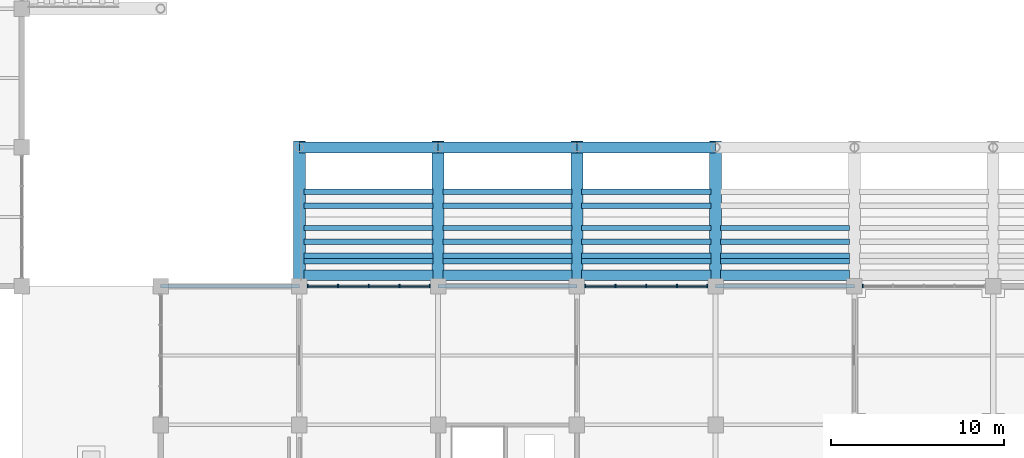
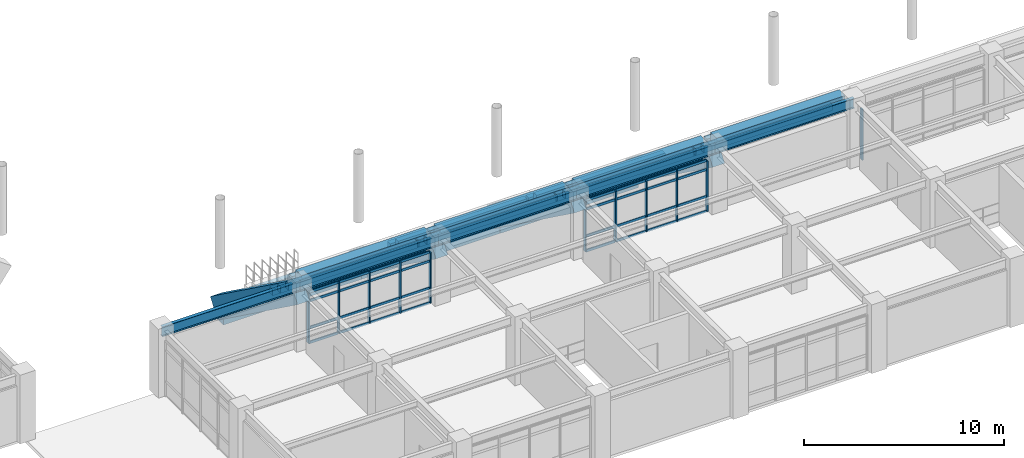
# One storey, part 23 of 118: 43 members, 38 beams, 3 elements without a shape of their own.
"""IFC4 building model written with IfcOpenShell, lengths in metres."""

from ifc_helpers import new_model, si_unit, direction, frame, origin, origin_2d, place, context, subcontext, project, spatial, rectangle, i_section, extrude, material, layer, layer_set, material_profile, profile_set, type_object, element, aggregate, save


model = new_model("IFC4")

# Units and contexts
model_context = context("Model", 3, precision=1e-05, world=origin(), true_north=direction((0.0, 1.0)))
body_context = subcontext(model_context, "Body", "Model", "MODEL_VIEW")
ifc_project = project(units=[si_unit("LENGTHUNIT", "METRE"), si_unit("AREAUNIT", "SQUARE_METRE"), si_unit("VOLUMEUNIT", "CUBIC_METRE"), si_unit("PLANEANGLEUNIT", "RADIAN"), si_unit("MASSUNIT", "GRAM", prefix="KILO")], contexts=[model_context])

# Site, building, storey
site_placement = place(None, origin())
site = spatial("IfcSite", under=ifc_project, at=site_placement, CompositionType="ELEMENT")
building_placement = place(site_placement, origin())
building = spatial("IfcBuilding", under=site, at=building_placement, Name="Haebicheon Civic Stadium", CompositionType="ELEMENT")
storey_placement = place(building_placement, frame((0.0, 0.0, 14.39990234375)))
storey = spatial("IfcBuildingStorey", under=building, at=storey_placement, Name="L04", CompositionType="ELEMENT", Elevation=14.39990234375)

# Beams
ifc_material_1 = material(Name="Precast concrete C40/50", Category="concrete")
ifc_material_profile_1 = material_profile(ifc_material_1, rectangle(XDim=0.300048828125, YDim=0.39990234375, at=origin_2d()), Name="PC-LN-300x400")
ifc_profile_set_1 = profile_set([ifc_material_profile_1], Name="Precast concrete C40/50")
beam_type_1 = type_object("IfcBeamType", Name="BM-LN-300x400", PredefinedType="LINTEL", material=ifc_profile_set_1)
for number, where, z_axis, x_axis, name in (
    (1, (80.280029296875, 37.43994140625, -0.10693359375), (1.0, 0.0, 0.0), (0.0, 1.0, 0.0), "TIER-S-U precast step carrier beam 1.4"),
    (2, (80.280029296875, 36.639892578125, 0.5380859375), (1.0, 0.0, 0.0), (0.0, 1.0, 0.0), "TIER-S-U precast step carrier beam 1.5"),
    (3, (80.280029296875, 35.360107421875, 1.18212890625), (1.0, 0.0, 0.0), (0.0, 1.0, 0.0), "TIER-S-U precast step carrier beam 1.6"),
    (4, (80.280029296875, 34.56005859375, 1.8271484375), (1.0, 0.0, 0.0), (0.0, 1.0, 0.0), "TIER-S-U precast step carrier beam 1.7"),
    (5, (80.280029296875, 33.760009765625, 2.47119140625), (1.0, 0.0, 0.0), (0.0, 1.0, 0.0), "TIER-S-U precast step carrier beam 1.8"),
    (6, (80.280029296875, 33.43994140625, 3.1162109375), (1.0, 0.0, 0.0), (0.0, 1.0, 0.0), "TIER-S-U precast step carrier beam 1.9"),
    (7, (88.280029296875, 37.43994140625, -0.10693359375), (1.0, 0.0, 0.0), (0.0, 1.0, 0.0), "TIER-S-U precast step carrier beam 2.4"),
    (8, (88.280029296875, 36.639892578125, 0.5380859375), (1.0, 0.0, 0.0), (0.0, 1.0, 0.0), "TIER-S-U precast step carrier beam 2.5"),
    (9, (88.280029296875, 35.360107421875, 1.18212890625), (1.0, 0.0, 0.0), (0.0, 1.0, 0.0), "TIER-S-U precast step carrier beam 2.6"),
    (10, (88.280029296875, 34.56005859375, 1.8271484375), (1.0, 0.0, 0.0), (0.0, 1.0, 0.0), "TIER-S-U precast step carrier beam 2.7"),
    (11, (88.280029296875, 33.760009765625, 2.47119140625), (1.0, 0.0, 0.0), (0.0, 1.0, 0.0), "TIER-S-U precast step carrier beam 2.8"),
    (12, (88.280029296875, 33.43994140625, 3.1162109375), (1.0, 0.0, 0.0), (0.0, 1.0, 0.0), "TIER-S-U precast step carrier beam 2.9"),
    (13, (96.280029296875, 37.43994140625, -0.10693359375), (1.0, 0.0, 0.0), (0.0, 1.0, 0.0), "TIER-S-U precast step carrier beam 3.4"),
    (14, (96.280029296875, 36.639892578125, 0.5380859375), (1.0, 0.0, 0.0), (0.0, 1.0, 0.0), "TIER-S-U precast step carrier beam 3.5"),
    (15, (96.280029296875, 35.360107421875, 1.18212890625), (1.0, 0.0, 0.0), (0.0, 1.0, 0.0), "TIER-S-U precast step carrier beam 3.6"),
    (16, (96.280029296875, 34.56005859375, 1.8271484375), (1.0, 0.0, 0.0), (0.0, 1.0, 0.0), "TIER-S-U precast step carrier beam 3.7"),
    (17, (96.280029296875, 33.760009765625, 2.47119140625), (1.0, 0.0, 0.0), (0.0, 1.0, 0.0), "TIER-S-U precast step carrier beam 3.8"),
    (18, (96.280029296875, 33.43994140625, 3.1162109375), (1.0, 0.0, 0.0), (0.0, 1.0, 0.0), "TIER-S-U precast step carrier beam 3.9"),
    (19, (104.280029296875, 35.360107421875, 1.18212890625), (1.0, 0.0, 0.0), (0.0, 1.0, 0.0), "TIER-S-U precast step carrier beam 4.6"),
    (20, (104.280029296875, 34.56005859375, 1.8271484375), (1.0, 0.0, 0.0), (0.0, 1.0, 0.0), "TIER-S-U precast step carrier beam 4.7"),
    (21, (104.280029296875, 33.760009765625, 2.47119140625), (1.0, 0.0, 0.0), (0.0, 1.0, 0.0), "TIER-S-U precast step carrier beam 4.8"),
    (22, (104.280029296875, 33.43994140625, 3.1162109375), (1.0, 0.0, 0.0), (0.0, 1.0, 0.0), "TIER-S-U precast step carrier beam 4.9"),
):
    element("IfcBeam", number, at=place(storey_placement, frame(where, z_axis=z_axis, x_axis=x_axis)), inside=storey, type_object=beam_type_1, material=ifc_profile_set_1, Name=name, PredefinedType="LINTEL", context=body_context, shape_type="SweptSolid", body=[
        extrude(rectangle(XDim=0.300048828125, YDim=0.39990234375, at=origin_2d()), origin(), (0.0, 0.0, 1.0), 7.43994140625),
    ])
ifc_material_2 = material(Name="Concrete C40/50", Category="concrete")
ifc_material_profile_2 = material_profile(ifc_material_2, rectangle(XDim=0.64990234375, YDim=1.0, at=origin_2d()), Name="RC-BM-650x1000")
ifc_profile_set_2 = profile_set([ifc_material_profile_2], Name="Concrete C40/50")
beam_type_2 = type_object("IfcBeamType", Name="BM-RC-650x1000", PredefinedType="BEAM", material=ifc_profile_set_2)
for number, where, z_axis, x_axis, name in (
    (23, (80.0, 40.0, -2.914794921875), (1.0, 0.0, 0.0), (0.0, 1.0, 0.0), "TIER-S-U nose support girder 1"),
    (24, (88.0, 40.0, -2.914794921875), (1.0, 0.0, 0.0), (0.0, 1.0, 0.0), "TIER-S-U nose support girder 2"),
    (25, (96.0, 40.0, -2.914794921875), (1.0, 0.0, 0.0), (0.0, 1.0, 0.0), "TIER-S-U nose support girder 3"),
):
    element("IfcBeam", number, at=place(storey_placement, frame(where, z_axis=z_axis, x_axis=x_axis)), inside=storey, type_object=beam_type_2, material=ifc_profile_set_2, Name=name, PredefinedType="BEAM", context=body_context, shape_type="SweptSolid", body=[
        extrude(rectangle(XDim=0.64990234375, YDim=1.0, at=origin_2d()), origin(), (0.0, 0.0, 1.0), 8.0),
    ])
ifc_material_3 = material(Name="Precast concrete C40/50", Category="concrete")
ifc_material_profile_3 = material_profile(ifc_material_3, rectangle(XDim=0.60009765625, YDim=0.85009765625, at=origin_2d()), Name="PC-TB-600x850")
ifc_profile_set_3 = profile_set([ifc_material_profile_3], Name="Precast concrete C40/50")
beam_type_3 = type_object("IfcBeamType", Name="BM-TB-600x850", PredefinedType="T_BEAM", material=ifc_profile_set_3)
for number, where, z_axis, x_axis, name in (
    (26, (80.280029296875, 32.639892578125, 3.53515625), (1.0, 0.0, 0.0), (0.0, 1.0, 0.0), "TIER-S-U upper tier bench carrier beam 1"),
    (27, (88.280029296875, 32.639892578125, 3.53515625), (1.0, 0.0, 0.0), (0.0, 1.0, 0.0), "TIER-S-U upper tier bench carrier beam 2"),
    (28, (96.280029296875, 32.639892578125, 3.53515625), (1.0, 0.0, 0.0), (0.0, 1.0, 0.0), "TIER-S-U upper tier bench carrier beam 3"),
    (29, (104.280029296875, 32.639892578125, 3.53515625), (1.0, 0.0, 0.0), (0.0, 1.0, 0.0), "TIER-S-U upper tier bench carrier beam 4"),
):
    element("IfcBeam", number, at=place(storey_placement, frame(where, z_axis=z_axis, x_axis=x_axis)), inside=storey, type_object=beam_type_3, material=ifc_profile_set_3, Name=name, PredefinedType="T_BEAM", context=body_context, shape_type="SweptSolid", body=[
        extrude(rectangle(XDim=0.60009765625, YDim=0.85009765625, at=origin_2d()), origin(), (0.0, 0.0, 1.0), 7.43994140625),
    ])

# Curtain wall, members
ifc_material_4 = material(Name="Anodised aluminium and laminated glass", Category="aluminium")
ifc_layer = layer(ifc_material_4, 0.179931640625, Name="Anodised aluminium and laminated glass")
ifc_layer_set = layer_set([ifc_layer], Name="Anodised aluminium and laminated glass")
curtain_wall_type = type_object("IfcCurtainWallType", Name="CW-7100x3100", PredefinedType="NOTDEFINED", material=ifc_layer_set)
curtain_wall_1_placement = place(storey_placement, origin())
curtain_wall_1 = element("IfcCurtainWall", 30, at=curtain_wall_1_placement, inside=storey, type_object=curtain_wall_type, material=ifc_layer_set, Name="L04 unitised curtain wall 130", PredefinedType="NOTDEFINED")
ifc_material_5 = material(Name="Anodised aluminium 6063-T6", Category="aluminium")
ifc_material_profile_4 = material_profile(ifc_material_5, rectangle(XDim=0.070068359375, YDim=0.199951171875, at=origin_2d()), Name="ALU-MULL-70x200")
ifc_profile_set_4 = profile_set([ifc_material_profile_4], Name="Anodised aluminium 6063-T6")
member_type_1 = type_object("IfcMemberType", Name="CWM-200x70", PredefinedType="MULLION", material=ifc_profile_set_4)
member_1_placement = place(storey_placement, frame((80.485107421875, 32.0, 0.0), z_axis=(0.0, 0.0, 1.0), x_axis=(1.0, 0.0, 0.0)))
member_1 = element("IfcMember", 31, at=member_1_placement, type_object=member_type_1, material=ifc_profile_set_4, Name="CW-L04-130 vertical mullion 1", PredefinedType="MULLION", context=body_context, shape_type="SweptSolid", body=[
    extrude(rectangle(XDim=0.070068359375, YDim=0.199951171875, at=origin_2d()), origin(), (0.0, 0.0, 1.0), 3.10009765625),
])
member_2_placement = place(storey_placement, frame((82.22509765625, 32.0, 0.0), z_axis=(0.0, 0.0, 1.0), x_axis=(1.0, 0.0, 0.0)))
member_2 = element("IfcMember", 32, at=member_2_placement, type_object=member_type_1, material=ifc_profile_set_4, Name="CW-L04-130 vertical mullion 2", PredefinedType="MULLION", context=body_context, shape_type="SweptSolid", body=[
    extrude(rectangle(XDim=0.070068359375, YDim=0.199951171875, at=origin_2d()), origin(), (0.0, 0.0, 1.0), 3.10009765625),
])
member_3_placement = place(storey_placement, frame((84.0, 32.0, 0.0), z_axis=(0.0, 0.0, 1.0), x_axis=(1.0, 0.0, 0.0)))
member_3 = element("IfcMember", 33, at=member_3_placement, type_object=member_type_1, material=ifc_profile_set_4, Name="CW-L04-130 vertical mullion 3", PredefinedType="MULLION", context=body_context, shape_type="SweptSolid", body=[
    extrude(rectangle(XDim=0.070068359375, YDim=0.199951171875, at=origin_2d()), origin(), (0.0, 0.0, 1.0), 3.10009765625),
])
member_4_placement = place(storey_placement, frame((85.77490234375, 32.0, 0.0), z_axis=(0.0, 0.0, 1.0), x_axis=(1.0, 0.0, 0.0)))
member_4 = element("IfcMember", 34, at=member_4_placement, type_object=member_type_1, material=ifc_profile_set_4, Name="CW-L04-130 vertical mullion 4", PredefinedType="MULLION", context=body_context, shape_type="SweptSolid", body=[
    extrude(rectangle(XDim=0.070068359375, YDim=0.199951171875, at=origin_2d()), origin(), (0.0, 0.0, 1.0), 3.10009765625),
])
member_5_placement = place(storey_placement, frame((87.514892578125, 32.0, 0.0), z_axis=(0.0, 0.0, 1.0), x_axis=(1.0, 0.0, 0.0)))
member_5 = element("IfcMember", 35, at=member_5_placement, type_object=member_type_1, material=ifc_profile_set_4, Name="CW-L04-130 vertical mullion 5", PredefinedType="MULLION", context=body_context, shape_type="SweptSolid", body=[
    extrude(rectangle(XDim=0.070068359375, YDim=0.199951171875, at=origin_2d()), origin(), (0.0, 0.0, 1.0), 3.10009765625),
])

curtain_wall_2_placement = place(storey_placement, origin())
curtain_wall_2 = element("IfcCurtainWall", 36, at=curtain_wall_2_placement, inside=storey, type_object=curtain_wall_type, material=ifc_layer_set, Name="L04 unitised curtain wall 133", PredefinedType="NOTDEFINED")
member_6_placement = place(storey_placement, frame((96.485107421875, 32.0, 0.0), z_axis=(0.0, 0.0, 1.0), x_axis=(1.0, 0.0, 0.0)))
member_6 = element("IfcMember", 37, at=member_6_placement, type_object=member_type_1, material=ifc_profile_set_4, Name="CW-L04-133 vertical mullion 1", PredefinedType="MULLION", context=body_context, shape_type="SweptSolid", body=[
    extrude(rectangle(XDim=0.070068359375, YDim=0.199951171875, at=origin_2d()), origin(), (0.0, 0.0, 1.0), 3.10009765625),
])
member_7_placement = place(storey_placement, frame((98.22509765625, 32.0, 0.0), z_axis=(0.0, 0.0, 1.0), x_axis=(1.0, 0.0, 0.0)))
member_7 = element("IfcMember", 38, at=member_7_placement, type_object=member_type_1, material=ifc_profile_set_4, Name="CW-L04-133 vertical mullion 2", PredefinedType="MULLION", context=body_context, shape_type="SweptSolid", body=[
    extrude(rectangle(XDim=0.070068359375, YDim=0.199951171875, at=origin_2d()), origin(), (0.0, 0.0, 1.0), 3.10009765625),
])
member_8_placement = place(storey_placement, frame((100.0, 32.0, 0.0), z_axis=(0.0, 0.0, 1.0), x_axis=(1.0, 0.0, 0.0)))
member_8 = element("IfcMember", 39, at=member_8_placement, type_object=member_type_1, material=ifc_profile_set_4, Name="CW-L04-133 vertical mullion 3", PredefinedType="MULLION", context=body_context, shape_type="SweptSolid", body=[
    extrude(rectangle(XDim=0.070068359375, YDim=0.199951171875, at=origin_2d()), origin(), (0.0, 0.0, 1.0), 3.10009765625),
])
member_9_placement = place(storey_placement, frame((101.77490234375, 32.0, 0.0), z_axis=(0.0, 0.0, 1.0), x_axis=(1.0, 0.0, 0.0)))
member_9 = element("IfcMember", 40, at=member_9_placement, type_object=member_type_1, material=ifc_profile_set_4, Name="CW-L04-133 vertical mullion 4", PredefinedType="MULLION", context=body_context, shape_type="SweptSolid", body=[
    extrude(rectangle(XDim=0.070068359375, YDim=0.199951171875, at=origin_2d()), origin(), (0.0, 0.0, 1.0), 3.10009765625),
])
member_10_placement = place(storey_placement, frame((103.514892578125, 32.0, 0.0), z_axis=(0.0, 0.0, 1.0), x_axis=(1.0, 0.0, 0.0)))
member_10 = element("IfcMember", 41, at=member_10_placement, type_object=member_type_1, material=ifc_profile_set_4, Name="CW-L04-133 vertical mullion 5", PredefinedType="MULLION", context=body_context, shape_type="SweptSolid", body=[
    extrude(rectangle(XDim=0.070068359375, YDim=0.199951171875, at=origin_2d()), origin(), (0.0, 0.0, 1.0), 3.10009765625),
])

# Curtain wall, member
curtain_wall_3_placement = place(storey_placement, origin())
curtain_wall_3 = element("IfcCurtainWall", 42, at=curtain_wall_3_placement, inside=storey, type_object=curtain_wall_type, material=ifc_layer_set, Name="L04 unitised curtain wall 136", PredefinedType="NOTDEFINED")
member_11_placement = place(storey_placement, frame((112.485107421875, 32.0, 0.0), z_axis=(0.0, 0.0, 1.0), x_axis=(1.0, 0.0, 0.0)))
member_11 = element("IfcMember", 43, at=member_11_placement, type_object=member_type_1, material=ifc_profile_set_4, Name="CW-L04-136 vertical mullion 1", PredefinedType="MULLION", context=body_context, shape_type="SweptSolid", body=[
    extrude(rectangle(XDim=0.070068359375, YDim=0.199951171875, at=origin_2d()), origin(), (0.0, 0.0, 1.0), 3.10009765625),
])
aggregate(curtain_wall_3, [member_11])

# Member
ifc_material_6 = material(Name="Anodised aluminium 6063-T6", Category="aluminium")
ifc_material_profile_5 = material_profile(ifc_material_6, rectangle(XDim=0.070068359375, YDim=0.14990234375, at=origin_2d()), Name="ALU-TRAN-70x150")
ifc_profile_set_5 = profile_set([ifc_material_profile_5], Name="Anodised aluminium 6063-T6")
member_type_2 = type_object("IfcMemberType", Name="CWT-150x70", PredefinedType="NOTDEFINED", material=ifc_profile_set_5)
member_12_placement = place(storey_placement, frame((80.52001953125, 32.0, 0.0), z_axis=(1.0, 0.0, 0.0), x_axis=(0.0, 1.0, 0.0)))
member_12 = element("IfcMember", 44, at=member_12_placement, type_object=member_type_2, material=ifc_profile_set_5, Name="CW-L04-130 horizontal transom 1.1", ObjectType="TRANSOM", PredefinedType="USERDEFINED", context=body_context, shape_type="SweptSolid", body=[
    extrude(rectangle(XDim=0.070068359375, YDim=0.14990234375, at=origin_2d()), origin(), (0.0, 0.0, 1.0), 1.669921875),
])

member_13_placement = place(storey_placement, frame((80.52001953125, 32.0, 0.900146484375), z_axis=(1.0, 0.0, 0.0), x_axis=(0.0, 1.0, 0.0)))
member_13 = element("IfcMember", 45, at=member_13_placement, type_object=member_type_2, material=ifc_profile_set_5, Name="CW-L04-130 horizontal transom 1.2", ObjectType="TRANSOM", PredefinedType="USERDEFINED", context=body_context, shape_type="SweptSolid", body=[
    extrude(rectangle(XDim=0.070068359375, YDim=0.14990234375, at=origin_2d()), origin(), (0.0, 0.0, 1.0), 1.669921875),
])

member_14_placement = place(storey_placement, frame((80.52001953125, 32.0, 2.550048828125), z_axis=(1.0, 0.0, 0.0), x_axis=(0.0, 1.0, 0.0)))
member_14 = element("IfcMember", 46, at=member_14_placement, type_object=member_type_2, material=ifc_profile_set_5, Name="CW-L04-130 horizontal transom 1.3", ObjectType="TRANSOM", PredefinedType="USERDEFINED", context=body_context, shape_type="SweptSolid", body=[
    extrude(rectangle(XDim=0.070068359375, YDim=0.14990234375, at=origin_2d()), origin(), (0.0, 0.0, 1.0), 1.669921875),
])

member_15_placement = place(storey_placement, frame((80.52001953125, 32.0, 3.10009765625), z_axis=(1.0, 0.0, 0.0), x_axis=(0.0, 1.0, 0.0)))
member_15 = element("IfcMember", 47, at=member_15_placement, type_object=member_type_2, material=ifc_profile_set_5, Name="CW-L04-130 horizontal transom 1.4", ObjectType="TRANSOM", PredefinedType="USERDEFINED", context=body_context, shape_type="SweptSolid", body=[
    extrude(rectangle(XDim=0.070068359375, YDim=0.14990234375, at=origin_2d()), origin(), (0.0, 0.0, 1.0), 1.669921875),
])

member_16_placement = place(storey_placement, frame((82.260009765625, 32.0, 0.0), z_axis=(1.0, 0.0, 0.0), x_axis=(0.0, 1.0, 0.0)))
member_16 = element("IfcMember", 48, at=member_16_placement, type_object=member_type_2, material=ifc_profile_set_5, Name="CW-L04-130 horizontal transom 2.1", ObjectType="TRANSOM", PredefinedType="USERDEFINED", context=body_context, shape_type="SweptSolid", body=[
    extrude(rectangle(XDim=0.070068359375, YDim=0.14990234375, at=origin_2d()), origin(), (0.0, 0.0, 1.0), 1.705078125),
])

member_17_placement = place(storey_placement, frame((82.260009765625, 32.0, 0.900146484375), z_axis=(1.0, 0.0, 0.0), x_axis=(0.0, 1.0, 0.0)))
member_17 = element("IfcMember", 49, at=member_17_placement, type_object=member_type_2, material=ifc_profile_set_5, Name="CW-L04-130 horizontal transom 2.2", ObjectType="TRANSOM", PredefinedType="USERDEFINED", context=body_context, shape_type="SweptSolid", body=[
    extrude(rectangle(XDim=0.070068359375, YDim=0.14990234375, at=origin_2d()), origin(), (0.0, 0.0, 1.0), 1.705078125),
])

member_18_placement = place(storey_placement, frame((82.260009765625, 32.0, 2.550048828125), z_axis=(1.0, 0.0, 0.0), x_axis=(0.0, 1.0, 0.0)))
member_18 = element("IfcMember", 50, at=member_18_placement, type_object=member_type_2, material=ifc_profile_set_5, Name="CW-L04-130 horizontal transom 2.3", ObjectType="TRANSOM", PredefinedType="USERDEFINED", context=body_context, shape_type="SweptSolid", body=[
    extrude(rectangle(XDim=0.070068359375, YDim=0.14990234375, at=origin_2d()), origin(), (0.0, 0.0, 1.0), 1.705078125),
])

member_19_placement = place(storey_placement, frame((82.260009765625, 32.0, 3.10009765625), z_axis=(1.0, 0.0, 0.0), x_axis=(0.0, 1.0, 0.0)))
member_19 = element("IfcMember", 51, at=member_19_placement, type_object=member_type_2, material=ifc_profile_set_5, Name="CW-L04-130 horizontal transom 2.4", ObjectType="TRANSOM", PredefinedType="USERDEFINED", context=body_context, shape_type="SweptSolid", body=[
    extrude(rectangle(XDim=0.070068359375, YDim=0.14990234375, at=origin_2d()), origin(), (0.0, 0.0, 1.0), 1.705078125),
])

member_20_placement = place(storey_placement, frame((84.034912109375, 32.0, 0.0), z_axis=(1.0, 0.0, 0.0), x_axis=(0.0, 1.0, 0.0)))
member_20 = element("IfcMember", 52, at=member_20_placement, type_object=member_type_2, material=ifc_profile_set_5, Name="CW-L04-130 horizontal transom 3.1", ObjectType="TRANSOM", PredefinedType="USERDEFINED", context=body_context, shape_type="SweptSolid", body=[
    extrude(rectangle(XDim=0.070068359375, YDim=0.14990234375, at=origin_2d()), origin(), (0.0, 0.0, 1.0), 1.705078125),
])

member_21_placement = place(storey_placement, frame((84.034912109375, 32.0, 0.900146484375), z_axis=(1.0, 0.0, 0.0), x_axis=(0.0, 1.0, 0.0)))
member_21 = element("IfcMember", 53, at=member_21_placement, type_object=member_type_2, material=ifc_profile_set_5, Name="CW-L04-130 horizontal transom 3.2", ObjectType="TRANSOM", PredefinedType="USERDEFINED", context=body_context, shape_type="SweptSolid", body=[
    extrude(rectangle(XDim=0.070068359375, YDim=0.14990234375, at=origin_2d()), origin(), (0.0, 0.0, 1.0), 1.705078125),
])

member_22_placement = place(storey_placement, frame((84.034912109375, 32.0, 2.550048828125), z_axis=(1.0, 0.0, 0.0), x_axis=(0.0, 1.0, 0.0)))
member_22 = element("IfcMember", 54, at=member_22_placement, type_object=member_type_2, material=ifc_profile_set_5, Name="CW-L04-130 horizontal transom 3.3", ObjectType="TRANSOM", PredefinedType="USERDEFINED", context=body_context, shape_type="SweptSolid", body=[
    extrude(rectangle(XDim=0.070068359375, YDim=0.14990234375, at=origin_2d()), origin(), (0.0, 0.0, 1.0), 1.705078125),
])

member_23_placement = place(storey_placement, frame((84.034912109375, 32.0, 3.10009765625), z_axis=(1.0, 0.0, 0.0), x_axis=(0.0, 1.0, 0.0)))
member_23 = element("IfcMember", 55, at=member_23_placement, type_object=member_type_2, material=ifc_profile_set_5, Name="CW-L04-130 horizontal transom 3.4", ObjectType="TRANSOM", PredefinedType="USERDEFINED", context=body_context, shape_type="SweptSolid", body=[
    extrude(rectangle(XDim=0.070068359375, YDim=0.14990234375, at=origin_2d()), origin(), (0.0, 0.0, 1.0), 1.705078125),
])

member_24_placement = place(storey_placement, frame((85.81005859375, 32.0, 0.0), z_axis=(1.0, 0.0, 0.0), x_axis=(0.0, 1.0, 0.0)))
member_24 = element("IfcMember", 56, at=member_24_placement, type_object=member_type_2, material=ifc_profile_set_5, Name="CW-L04-130 horizontal transom 4.1", ObjectType="TRANSOM", PredefinedType="USERDEFINED", context=body_context, shape_type="SweptSolid", body=[
    extrude(rectangle(XDim=0.070068359375, YDim=0.14990234375, at=origin_2d()), origin(), (0.0, 0.0, 1.0), 1.669921875),
])

member_25_placement = place(storey_placement, frame((85.81005859375, 32.0, 0.900146484375), z_axis=(1.0, 0.0, 0.0), x_axis=(0.0, 1.0, 0.0)))
member_25 = element("IfcMember", 57, at=member_25_placement, type_object=member_type_2, material=ifc_profile_set_5, Name="CW-L04-130 horizontal transom 4.2", ObjectType="TRANSOM", PredefinedType="USERDEFINED", context=body_context, shape_type="SweptSolid", body=[
    extrude(rectangle(XDim=0.070068359375, YDim=0.14990234375, at=origin_2d()), origin(), (0.0, 0.0, 1.0), 1.669921875),
])

member_26_placement = place(storey_placement, frame((85.81005859375, 32.0, 2.550048828125), z_axis=(1.0, 0.0, 0.0), x_axis=(0.0, 1.0, 0.0)))
member_26 = element("IfcMember", 58, at=member_26_placement, type_object=member_type_2, material=ifc_profile_set_5, Name="CW-L04-130 horizontal transom 4.3", ObjectType="TRANSOM", PredefinedType="USERDEFINED", context=body_context, shape_type="SweptSolid", body=[
    extrude(rectangle(XDim=0.070068359375, YDim=0.14990234375, at=origin_2d()), origin(), (0.0, 0.0, 1.0), 1.669921875),
])

member_27_placement = place(storey_placement, frame((85.81005859375, 32.0, 3.10009765625), z_axis=(1.0, 0.0, 0.0), x_axis=(0.0, 1.0, 0.0)))
member_27 = element("IfcMember", 59, at=member_27_placement, type_object=member_type_2, material=ifc_profile_set_5, Name="CW-L04-130 horizontal transom 4.4", ObjectType="TRANSOM", PredefinedType="USERDEFINED", context=body_context, shape_type="SweptSolid", body=[
    extrude(rectangle(XDim=0.070068359375, YDim=0.14990234375, at=origin_2d()), origin(), (0.0, 0.0, 1.0), 1.669921875),
])

aggregate(curtain_wall_1, [member_1, member_2, member_3, member_4, member_5, member_12, member_13, member_14, member_15, member_16, member_17, member_18, member_19, member_20, member_21, member_22, member_23, member_24, member_25, member_26, member_27])

member_28_placement = place(storey_placement, frame((96.52001953125, 32.0, 0.0), z_axis=(1.0, 0.0, 0.0), x_axis=(0.0, 1.0, 0.0)))
member_28 = element("IfcMember", 60, at=member_28_placement, type_object=member_type_2, material=ifc_profile_set_5, Name="CW-L04-133 horizontal transom 1.1", ObjectType="TRANSOM", PredefinedType="USERDEFINED", context=body_context, shape_type="SweptSolid", body=[
    extrude(rectangle(XDim=0.070068359375, YDim=0.14990234375, at=origin_2d()), origin(), (0.0, 0.0, 1.0), 1.669921875),
])

member_29_placement = place(storey_placement, frame((96.52001953125, 32.0, 0.900146484375), z_axis=(1.0, 0.0, 0.0), x_axis=(0.0, 1.0, 0.0)))
member_29 = element("IfcMember", 61, at=member_29_placement, type_object=member_type_2, material=ifc_profile_set_5, Name="CW-L04-133 horizontal transom 1.2", ObjectType="TRANSOM", PredefinedType="USERDEFINED", context=body_context, shape_type="SweptSolid", body=[
    extrude(rectangle(XDim=0.070068359375, YDim=0.14990234375, at=origin_2d()), origin(), (0.0, 0.0, 1.0), 1.669921875),
])

member_30_placement = place(storey_placement, frame((96.52001953125, 32.0, 2.550048828125), z_axis=(1.0, 0.0, 0.0), x_axis=(0.0, 1.0, 0.0)))
member_30 = element("IfcMember", 62, at=member_30_placement, type_object=member_type_2, material=ifc_profile_set_5, Name="CW-L04-133 horizontal transom 1.3", ObjectType="TRANSOM", PredefinedType="USERDEFINED", context=body_context, shape_type="SweptSolid", body=[
    extrude(rectangle(XDim=0.070068359375, YDim=0.14990234375, at=origin_2d()), origin(), (0.0, 0.0, 1.0), 1.669921875),
])

member_31_placement = place(storey_placement, frame((96.52001953125, 32.0, 3.10009765625), z_axis=(1.0, 0.0, 0.0), x_axis=(0.0, 1.0, 0.0)))
member_31 = element("IfcMember", 63, at=member_31_placement, type_object=member_type_2, material=ifc_profile_set_5, Name="CW-L04-133 horizontal transom 1.4", ObjectType="TRANSOM", PredefinedType="USERDEFINED", context=body_context, shape_type="SweptSolid", body=[
    extrude(rectangle(XDim=0.070068359375, YDim=0.14990234375, at=origin_2d()), origin(), (0.0, 0.0, 1.0), 1.669921875),
])

member_32_placement = place(storey_placement, frame((98.260009765625, 32.0, 0.0), z_axis=(1.0, 0.0, 0.0), x_axis=(0.0, 1.0, 0.0)))
member_32 = element("IfcMember", 64, at=member_32_placement, type_object=member_type_2, material=ifc_profile_set_5, Name="CW-L04-133 horizontal transom 2.1", ObjectType="TRANSOM", PredefinedType="USERDEFINED", context=body_context, shape_type="SweptSolid", body=[
    extrude(rectangle(XDim=0.070068359375, YDim=0.14990234375, at=origin_2d()), origin(), (0.0, 0.0, 1.0), 1.705078125),
])

member_33_placement = place(storey_placement, frame((98.260009765625, 32.0, 0.900146484375), z_axis=(1.0, 0.0, 0.0), x_axis=(0.0, 1.0, 0.0)))
member_33 = element("IfcMember", 65, at=member_33_placement, type_object=member_type_2, material=ifc_profile_set_5, Name="CW-L04-133 horizontal transom 2.2", ObjectType="TRANSOM", PredefinedType="USERDEFINED", context=body_context, shape_type="SweptSolid", body=[
    extrude(rectangle(XDim=0.070068359375, YDim=0.14990234375, at=origin_2d()), origin(), (0.0, 0.0, 1.0), 1.705078125),
])

member_34_placement = place(storey_placement, frame((98.260009765625, 32.0, 2.550048828125), z_axis=(1.0, 0.0, 0.0), x_axis=(0.0, 1.0, 0.0)))
member_34 = element("IfcMember", 66, at=member_34_placement, type_object=member_type_2, material=ifc_profile_set_5, Name="CW-L04-133 horizontal transom 2.3", ObjectType="TRANSOM", PredefinedType="USERDEFINED", context=body_context, shape_type="SweptSolid", body=[
    extrude(rectangle(XDim=0.070068359375, YDim=0.14990234375, at=origin_2d()), origin(), (0.0, 0.0, 1.0), 1.705078125),
])

member_35_placement = place(storey_placement, frame((98.260009765625, 32.0, 3.10009765625), z_axis=(1.0, 0.0, 0.0), x_axis=(0.0, 1.0, 0.0)))
member_35 = element("IfcMember", 67, at=member_35_placement, type_object=member_type_2, material=ifc_profile_set_5, Name="CW-L04-133 horizontal transom 2.4", ObjectType="TRANSOM", PredefinedType="USERDEFINED", context=body_context, shape_type="SweptSolid", body=[
    extrude(rectangle(XDim=0.070068359375, YDim=0.14990234375, at=origin_2d()), origin(), (0.0, 0.0, 1.0), 1.705078125),
])

member_36_placement = place(storey_placement, frame((100.034912109375, 32.0, 0.0), z_axis=(1.0, 0.0, 0.0), x_axis=(0.0, 1.0, 0.0)))
member_36 = element("IfcMember", 68, at=member_36_placement, type_object=member_type_2, material=ifc_profile_set_5, Name="CW-L04-133 horizontal transom 3.1", ObjectType="TRANSOM", PredefinedType="USERDEFINED", context=body_context, shape_type="SweptSolid", body=[
    extrude(rectangle(XDim=0.070068359375, YDim=0.14990234375, at=origin_2d()), origin(), (0.0, 0.0, 1.0), 1.705078125),
])

member_37_placement = place(storey_placement, frame((100.034912109375, 32.0, 0.900146484375), z_axis=(1.0, 0.0, 0.0), x_axis=(0.0, 1.0, 0.0)))
member_37 = element("IfcMember", 69, at=member_37_placement, type_object=member_type_2, material=ifc_profile_set_5, Name="CW-L04-133 horizontal transom 3.2", ObjectType="TRANSOM", PredefinedType="USERDEFINED", context=body_context, shape_type="SweptSolid", body=[
    extrude(rectangle(XDim=0.070068359375, YDim=0.14990234375, at=origin_2d()), origin(), (0.0, 0.0, 1.0), 1.705078125),
])

member_38_placement = place(storey_placement, frame((100.034912109375, 32.0, 2.550048828125), z_axis=(1.0, 0.0, 0.0), x_axis=(0.0, 1.0, 0.0)))
member_38 = element("IfcMember", 70, at=member_38_placement, type_object=member_type_2, material=ifc_profile_set_5, Name="CW-L04-133 horizontal transom 3.3", ObjectType="TRANSOM", PredefinedType="USERDEFINED", context=body_context, shape_type="SweptSolid", body=[
    extrude(rectangle(XDim=0.070068359375, YDim=0.14990234375, at=origin_2d()), origin(), (0.0, 0.0, 1.0), 1.705078125),
])

member_39_placement = place(storey_placement, frame((100.034912109375, 32.0, 3.10009765625), z_axis=(1.0, 0.0, 0.0), x_axis=(0.0, 1.0, 0.0)))
member_39 = element("IfcMember", 71, at=member_39_placement, type_object=member_type_2, material=ifc_profile_set_5, Name="CW-L04-133 horizontal transom 3.4", ObjectType="TRANSOM", PredefinedType="USERDEFINED", context=body_context, shape_type="SweptSolid", body=[
    extrude(rectangle(XDim=0.070068359375, YDim=0.14990234375, at=origin_2d()), origin(), (0.0, 0.0, 1.0), 1.705078125),
])

member_40_placement = place(storey_placement, frame((101.81005859375, 32.0, 0.0), z_axis=(1.0, 0.0, 0.0), x_axis=(0.0, 1.0, 0.0)))
member_40 = element("IfcMember", 72, at=member_40_placement, type_object=member_type_2, material=ifc_profile_set_5, Name="CW-L04-133 horizontal transom 4.1", ObjectType="TRANSOM", PredefinedType="USERDEFINED", context=body_context, shape_type="SweptSolid", body=[
    extrude(rectangle(XDim=0.070068359375, YDim=0.14990234375, at=origin_2d()), origin(), (0.0, 0.0, 1.0), 1.669921875),
])

member_41_placement = place(storey_placement, frame((101.81005859375, 32.0, 0.900146484375), z_axis=(1.0, 0.0, 0.0), x_axis=(0.0, 1.0, 0.0)))
member_41 = element("IfcMember", 73, at=member_41_placement, type_object=member_type_2, material=ifc_profile_set_5, Name="CW-L04-133 horizontal transom 4.2", ObjectType="TRANSOM", PredefinedType="USERDEFINED", context=body_context, shape_type="SweptSolid", body=[
    extrude(rectangle(XDim=0.070068359375, YDim=0.14990234375, at=origin_2d()), origin(), (0.0, 0.0, 1.0), 1.669921875),
])

member_42_placement = place(storey_placement, frame((101.81005859375, 32.0, 2.550048828125), z_axis=(1.0, 0.0, 0.0), x_axis=(0.0, 1.0, 0.0)))
member_42 = element("IfcMember", 74, at=member_42_placement, type_object=member_type_2, material=ifc_profile_set_5, Name="CW-L04-133 horizontal transom 4.3", ObjectType="TRANSOM", PredefinedType="USERDEFINED", context=body_context, shape_type="SweptSolid", body=[
    extrude(rectangle(XDim=0.070068359375, YDim=0.14990234375, at=origin_2d()), origin(), (0.0, 0.0, 1.0), 1.669921875),
])

member_43_placement = place(storey_placement, frame((101.81005859375, 32.0, 3.10009765625), z_axis=(1.0, 0.0, 0.0), x_axis=(0.0, 1.0, 0.0)))
member_43 = element("IfcMember", 75, at=member_43_placement, type_object=member_type_2, material=ifc_profile_set_5, Name="CW-L04-133 horizontal transom 4.4", ObjectType="TRANSOM", PredefinedType="USERDEFINED", context=body_context, shape_type="SweptSolid", body=[
    extrude(rectangle(XDim=0.070068359375, YDim=0.14990234375, at=origin_2d()), origin(), (0.0, 0.0, 1.0), 1.669921875),
])

aggregate(curtain_wall_2, [member_6, member_7, member_8, member_9, member_10, member_28, member_29, member_30, member_31, member_32, member_33, member_34, member_35, member_36, member_37, member_38, member_39, member_40, member_41, member_42, member_43])

# Beams
ifc_material_7 = material(Name="Precast concrete C40/50", Category="concrete")
ifc_material_profile_6 = material_profile(ifc_material_7, rectangle(XDim=0.699951171875, YDim=1.25, at=origin_2d()), Name="PC-RK-700x1250")
ifc_profile_set_6 = profile_set([ifc_material_profile_6], Name="Precast concrete C40/50")
beam_type_4 = type_object("IfcBeamType", Name="RK-PC-700x1250", PredefinedType="USERDEFINED", material=ifc_profile_set_6)
for number, where, z_axis, x_axis, name in (
    (76, (80.0, 40.0, -2.46484375), (0.0, -0.809608095134, 0.586970810428), (1.0, 0.0, 0.0), "TIER-S-U inclined precast raker beam 1"),
    (77, (88.0, 40.0, -2.46484375), (0.0, -0.809608095134, 0.586970810428), (1.0, 0.0, 0.0), "TIER-S-U inclined precast raker beam 2"),
    (78, (96.0, 40.0, -2.46484375), (0.0, -0.809608095134, 0.586970810428), (1.0, 0.0, 0.0), "TIER-S-U inclined precast raker beam 3"),
    (79, (104.0, 40.0, -2.46484375), (0.0, -0.809608095134, 0.586970810428), (1.0, 0.0, 0.0), "TIER-S-U inclined precast raker beam 4"),
):
    element("IfcBeam", number, at=place(storey_placement, frame(where, z_axis=z_axis, x_axis=x_axis)), inside=storey, type_object=beam_type_4, material=ifc_profile_set_6, Name=name, ObjectType="RAKER BEAM", PredefinedType="USERDEFINED", context=body_context, shape_type="SweptSolid", body=[
        extrude(rectangle(XDim=0.699951171875, YDim=1.25, at=origin_2d()), origin(), (0.0, 0.0, 1.0), 9.88134765625),
    ])
ifc_material_8 = material(Name="Steel SM355 (S355)", Category="steel")
ifc_material_profile_7 = material_profile(ifc_material_8, i_section(OverallWidth=0.199951171875, OverallDepth=0.60009765625, WebThickness=0.010986328125, FlangeThickness=0.01708984375, at=origin_2d()), Name="H-600x200x11x17")
ifc_profile_set_7 = profile_set([ifc_material_profile_7], Name="Steel SM355 (S355)")
beam_type_5 = type_object("IfcBeamType", Name="SPD-ST-H600B", PredefinedType="SPANDREL", material=ifc_profile_set_7)
for number, where, z_axis, x_axis, name in (
    (80, (72.0, 32.0, 3.68017578125), (1.0, 0.0, 0.0), (0.0, 1.0, 0.0), "L04 beam E/10-11"),
    (81, (80.0, 32.0, 3.656005859375), (1.0, 0.0, 0.0), (0.0, 1.0, 0.0), "L04 beam E/11-12"),
    (82, (88.0, 32.0, 3.656005859375), (1.0, 0.0, 0.0), (0.0, 1.0, 0.0), "L04 beam E/12-13"),
    (83, (96.0, 32.0, 3.656005859375), (1.0, 0.0, 0.0), (0.0, 1.0, 0.0), "L04 beam E/13-14"),
    (84, (104.0, 32.0, 3.656005859375), (1.0, 0.0, 0.0), (0.0, 1.0, 0.0), "L04 beam E/14-15"),
):
    element("IfcBeam", number, at=place(storey_placement, frame(where, z_axis=z_axis, x_axis=x_axis)), inside=storey, type_object=beam_type_5, material=ifc_profile_set_7, Name=name, PredefinedType="SPANDREL", context=body_context, shape_type="SweptSolid", body=[
        extrude(i_section(OverallWidth=0.199951171875, OverallDepth=0.60009765625, WebThickness=0.010986328125, FlangeThickness=0.01708984375, at=origin_2d()), origin(), (0.0, 0.0, 1.0), 8.0),
    ])

save(model, "model.ifc")
